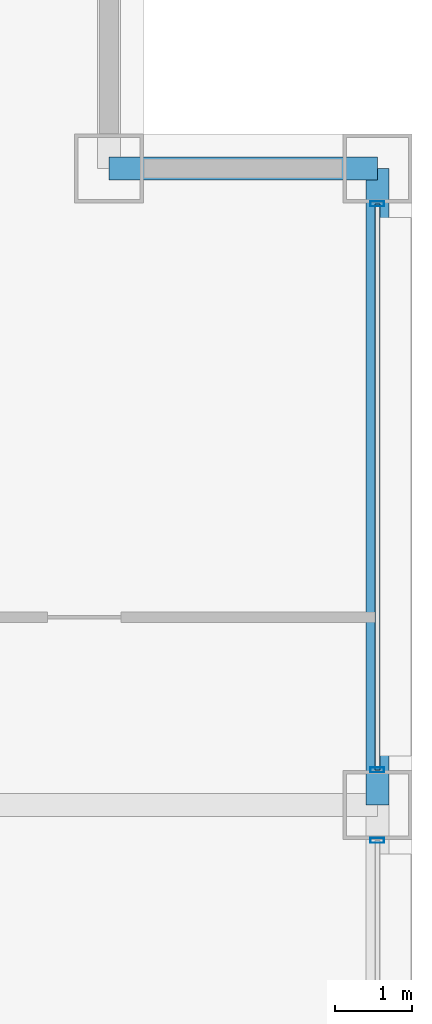
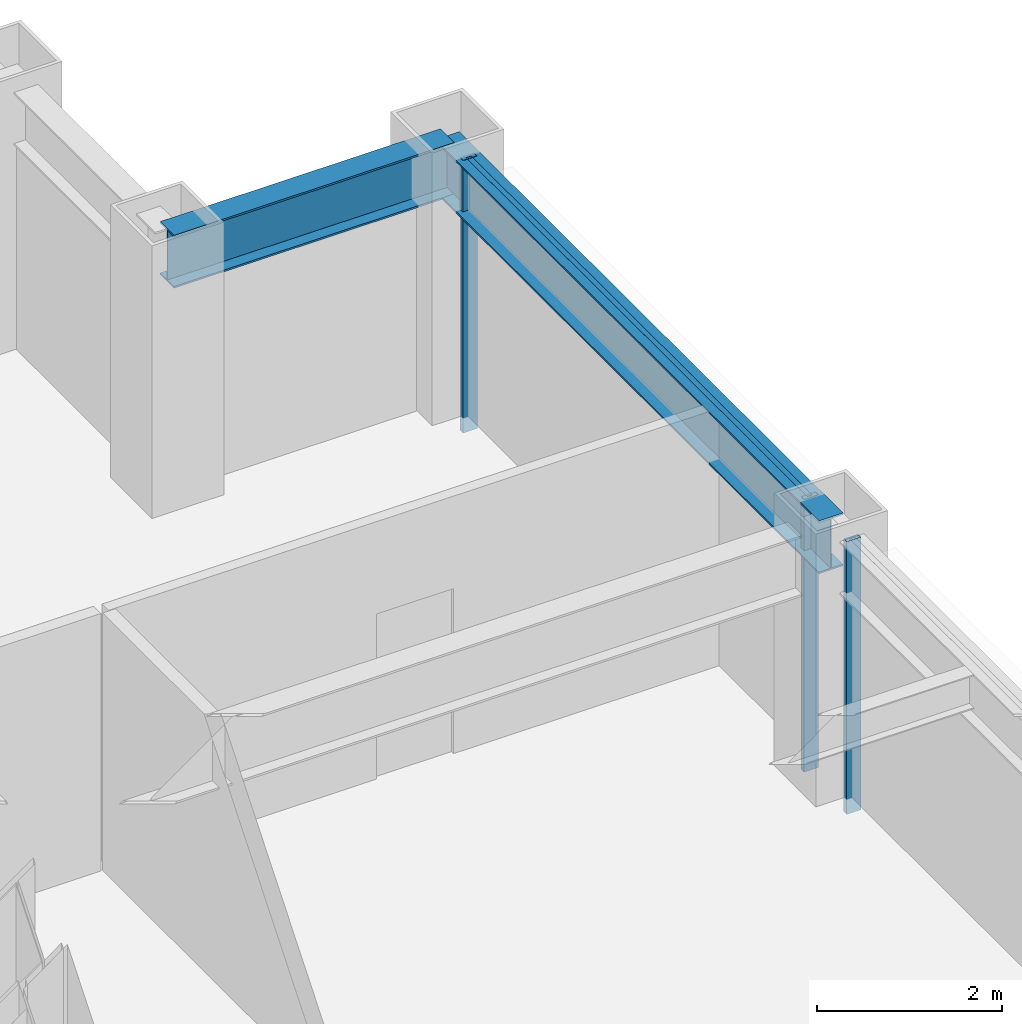
# One storey, part 22 of 29: 4 members, 2 beams, 2 elements without a shape of their own.
"""IFC4 building model written with IfcOpenShell, lengths in metres."""

from ifc_helpers import new_model, si_unit, direction, frame, origin, origin_2d, place, context, subcontext, project, spatial, hollow_rectangle, i_section, extrude, material, layer, layer_set, material_profile, profile_set, type_object, element, aggregate, save


model = new_model("IFC4")

# Units and contexts
model_context = context("Model", 3, precision=1e-05, world=origin(), true_north=direction((0.0, 1.0)))
body_context = subcontext(model_context, "Body", "Model", "MODEL_VIEW")
ifc_project = project(units=[si_unit("LENGTHUNIT", "METRE"), si_unit("AREAUNIT", "SQUARE_METRE"), si_unit("VOLUMEUNIT", "CUBIC_METRE"), si_unit("PLANEANGLEUNIT", "RADIAN"), si_unit("MASSUNIT", "GRAM", prefix="KILO")], contexts=[model_context])

# Site, building, storey
site_placement = place(None, origin())
site = spatial("IfcSite", under=ifc_project, at=site_placement, CompositionType="ELEMENT")
building_placement = place(site_placement, origin())
building = spatial("IfcBuilding", under=site, at=building_placement, Name="Brelmoor Portico Tower", CompositionType="ELEMENT")
storey_placement = place(building_placement, frame((0.0, 0.0, 60.0)))
storey = spatial("IfcBuildingStorey", under=building, at=storey_placement, Name="L15", CompositionType="ELEMENT", Elevation=60.0)

# Beams
ifc_material_1 = material(Name="Steel Q355B", Category="steel")
ifc_material_profile_1 = material_profile(ifc_material_1, i_section(OverallWidth=0.300048828125, OverallDepth=0.699951171875, WebThickness=0.012939453125, FlangeThickness=0.02392578125, at=origin_2d()), Name="HN 700x300x13x24")
ifc_profile_set_1 = profile_set([ifc_material_profile_1], Name="Steel Q355B")
beam_type = type_object("IfcBeamType", Name="BM-SP-700", PredefinedType="SPANDREL", material=ifc_profile_set_1)
beam_1_placement = place(storey_placement, frame((21.050048828125, 18.050048828125, 3.050048828125), z_axis=(1.0, 0.0, 0.0), x_axis=(0.0, 1.0, 0.0)))
element("IfcBeam", 1, at=beam_1_placement, inside=storey, type_object=beam_type, Name="L15 Perimeter Spandrel Beam SP-09", PredefinedType="SPANDREL", context=body_context, shape_type="SweptSolid", body=[
    extrude(i_section(OverallWidth=0.300048828125, OverallDepth=0.699951171875, WebThickness=0.012939453125, FlangeThickness=0.02392578125, at=origin_2d()), origin(), (0.0, 0.0, 1.0), 3.5),
])
beam_2_placement = place(storey_placement, frame((24.550048828125, 9.75, 3.050048828125), z_axis=(0.0, 1.0, 0.0), x_axis=(-1.0, 0.0, 0.0)))
element("IfcBeam", 2, at=beam_2_placement, inside=storey, type_object=beam_type, Name="L15 Perimeter Spandrel Beam SP-24", PredefinedType="SPANDREL", context=body_context, shape_type="SweptSolid", body=[
    extrude(i_section(OverallWidth=0.300048828125, OverallDepth=0.699951171875, WebThickness=0.012939453125, FlangeThickness=0.02392578125, at=origin_2d()), origin(), (0.0, 0.0, 1.0), 8.300048828125),
])

# Curtain wall, member
ifc_material_2 = material(Name="Anodised Aluminium Alloy 6063-T6", Category="aluminium")
ifc_layer = layer(ifc_material_2, 0.179931640625)
ifc_layer_set = layer_set([ifc_layer], Name="Anodised Aluminium Alloy 6063-T6")
curtain_wall_type = type_object("IfcCurtainWallType", Name="CW-TOWER-Z1-XB", PredefinedType="NOTDEFINED", material=ifc_layer_set)
curtain_wall_1_placement = place(storey_placement, origin())
curtain_wall_1 = element("IfcCurtainWall", 3, at=curtain_wall_1_placement, inside=storey, type_object=curtain_wall_type, Name="L15 Curtain Wall CW-L15-04-2", PredefinedType="NOTDEFINED")
ifc_material_profile_2 = material_profile(ifc_material_2, hollow_rectangle(XDim=0.06494140625, YDim=0.179931640625, WallThickness=0.00390625, at=origin_2d()), Name="ALU MULLION 65x180")
ifc_profile_set_2 = profile_set([ifc_material_profile_2], Name="Anodised Aluminium Alloy 6063-T6")
member_type_1 = type_object("IfcMemberType", Name="MB-CW-MULL-180", PredefinedType="MULLION", material=ifc_profile_set_2)
member_1_placement = place(storey_placement, frame((24.550048828125, 9.2900390625, -0.199951171875), z_axis=(0.0, 0.0, 1.0), x_axis=(0.0, 1.0, 0.0)))
member_1 = element("IfcMember", 4, at=member_1_placement, type_object=member_type_1, Name="CW-L15-04-2 Mullion 02", PredefinedType="MULLION", context=body_context, shape_type="SweptSolid", body=[
    extrude(hollow_rectangle(XDim=0.06494140625, YDim=0.179931640625, WallThickness=0.00390625, at=origin_2d()), origin(), (0.0, 0.0, 1.0), 3.599853515625),
])
aggregate(curtain_wall_1, [member_1])

# Curtain wall, members
curtain_wall_2_placement = place(storey_placement, origin())
curtain_wall_2 = element("IfcCurtainWall", 5, at=curtain_wall_2_placement, inside=storey, type_object=curtain_wall_type, Name="L15 Curtain Wall CW-L15-04-3", PredefinedType="NOTDEFINED")
member_2_placement = place(storey_placement, frame((24.550048828125, 10.2099609375, -0.199951171875), z_axis=(0.0, 0.0, 1.0), x_axis=(0.0, 1.0, 0.0)))
member_2 = element("IfcMember", 6, at=member_2_placement, type_object=member_type_1, Name="CW-L15-04-3 Mullion 00", PredefinedType="MULLION", context=body_context, shape_type="SweptSolid", body=[
    extrude(hollow_rectangle(XDim=0.06494140625, YDim=0.179931640625, WallThickness=0.00390625, at=origin_2d()), origin(), (0.0, 0.0, 1.0), 3.599853515625),
])
member_3_placement = place(storey_placement, frame((24.550048828125, 17.590087890625, -0.199951171875), z_axis=(0.0, 0.0, 1.0), x_axis=(0.0, 1.0, 0.0)))
member_3 = element("IfcMember", 7, at=member_3_placement, type_object=member_type_1, Name="CW-L15-04-3 Mullion 01", PredefinedType="MULLION", context=body_context, shape_type="SweptSolid", body=[
    extrude(hollow_rectangle(XDim=0.06494140625, YDim=0.179931640625, WallThickness=0.00390625, at=origin_2d()), origin(), (0.0, 0.0, 1.0), 3.599853515625),
])
ifc_material_profile_3 = material_profile(ifc_material_2, hollow_rectangle(XDim=0.06494140625, YDim=0.139892578125, WallThickness=0.00390625, at=origin_2d()), Name="ALU TRANSOM 65x140")
ifc_profile_set_3 = profile_set([ifc_material_profile_3], Name="Anodised Aluminium Alloy 6063-T6")
member_type_2 = type_object("IfcMemberType", Name="MB-CW-TRAN-140", PredefinedType="USERDEFINED", material=ifc_profile_set_3)
member_4_placement = place(storey_placement, frame((24.550048828125, 10.2099609375, 3.330078125), z_axis=(0.0, 1.0, 0.0), x_axis=(-1.0, 0.0, 0.0)))
member_4 = element("IfcMember", 8, at=member_4_placement, type_object=member_type_2, Name="CW-L15-04-3 Transom 1-00", ObjectType="TRANSOM", PredefinedType="USERDEFINED", context=body_context, shape_type="SweptSolid", body=[
    extrude(hollow_rectangle(XDim=0.06494140625, YDim=0.139892578125, WallThickness=0.00390625, at=origin_2d()), origin(), (0.0, 0.0, 1.0), 7.380126953125),
])
aggregate(curtain_wall_2, [member_2, member_3, member_4])

save(model, "model.ifc")
